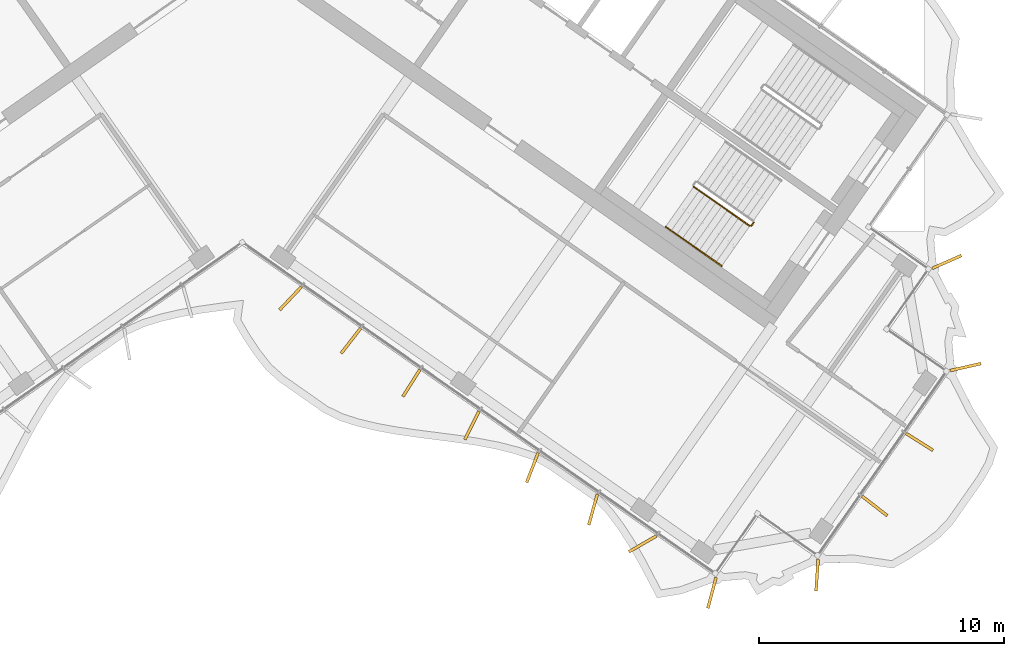
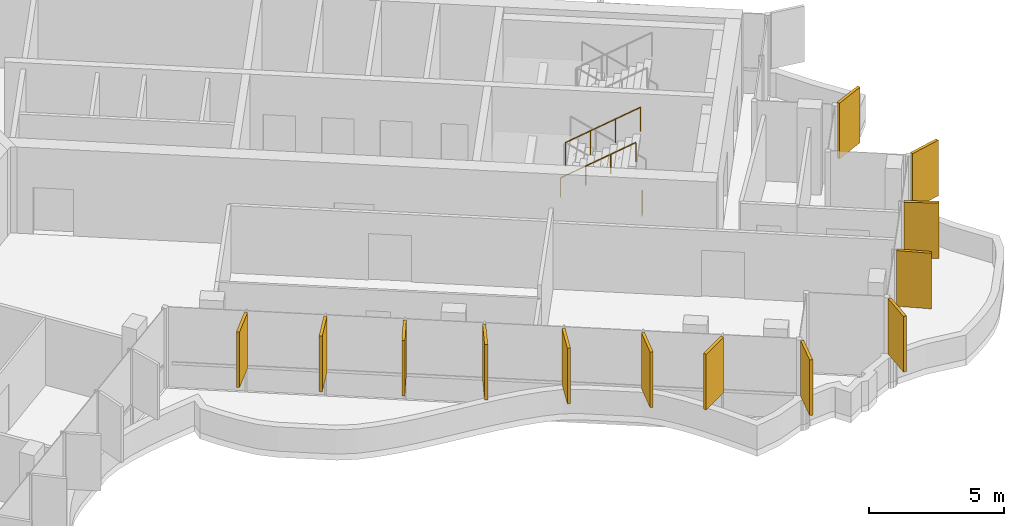
# One storey, part 16 of 18: 13 shading devices, 3 railings.
"""IFC4 building model written with IfcOpenShell, lengths in metres."""

import ifcopenshell
import ifcopenshell.guid

model = None  # the IFC model being written
_history = None  # IfcOwnerHistory: only IFC2X3 demands one
_inside = {}  # id of a spatial element -> (the spatial element, [elements in it])
_under = {}  # id of a project, library or spatial element -> (it, [spatial elements below it])
_declared = {}  # id of a project -> (the project, [libraries it declares])
_typed = {}  # id of a type object -> (the type object, [elements of that type])
_made_of = {}  # id of a material, layer set ... -> (it, [elements and type objects made of it])


def new_model(schema):
    """Start an empty IFC model of exactly this schema.

    Asked for "IFC4X3", IfcOpenShell would pick the latest addendum, in which some entities
    have other attributes; the version numbers below select the first issue.
    IFC2X3 requires an IfcOwnerHistory on every rooted entity: one is made here for all.
    """
    global model, _history
    if schema == "IFC4X3":
        model = ifcopenshell.file(schema_version=(4, 3, 0, 0))
    else:
        model = ifcopenshell.file(schema=schema)
    _inside.clear()
    _under.clear()
    _declared.clear()
    _typed.clear()
    _made_of.clear()
    _history = None
    if model.schema == "IFC2X3":
        org = make("IfcOrganization", Name="unknown")
        user = make(
            "IfcPersonAndOrganization",
            ThePerson=make("IfcPerson", FamilyName="unknown"),
            TheOrganization=org,
        )
        app = make(
            "IfcApplication",
            ApplicationDeveloper=org,
            Version="unknown",
            ApplicationFullName="unknown",
            ApplicationIdentifier="unknown",
        )
        _history = make(
            "IfcOwnerHistory",
            OwningUser=user,
            OwningApplication=app,
            ChangeAction="ADDED",
            CreationDate=0,
        )
    return model


def make(cls, **values):
    """One entity of the class cls with the attributes given. An attribute that is None is left unset."""
    return model.create_entity(
        cls, **{name: value for name, value in values.items() if value is not None}
    )


def rooted(cls, **values):
    """An entity with a GlobalId (a new one), such as an element, a storey or a relation."""
    return make(cls, GlobalId=ifcopenshell.guid.new(), OwnerHistory=_history, **values)


def si_unit(unit_type, name, prefix=None):
    """IfcSIUnit, for example si_unit("LENGTHUNIT", "METRE", prefix="MILLI")."""
    return make("IfcSIUnit", UnitType=unit_type, Prefix=prefix, Name=name)


def assignment(units):
    """IfcUnitAssignment: the units of a project."""
    return None if units is None else make("IfcUnitAssignment", Units=units)


def point(xyz):
    """IfcCartesianPoint."""
    return None if xyz is None else make("IfcCartesianPoint", Coordinates=xyz)


def direction(xyz):
    """IfcDirection."""
    return None if xyz is None else make("IfcDirection", DirectionRatios=xyz)


def frame(location, z_axis=None, x_axis=None):
    """IfcAxis2Placement3D, a coordinate frame: its origin and axes. An axis left out is left unset."""
    return make(
        "IfcAxis2Placement3D",
        Location=point(location),
        Axis=direction(z_axis),
        RefDirection=direction(x_axis),
    )


def frame_2d(location, x_axis=None):
    """IfcAxis2Placement2D, a coordinate frame in the plane: its origin and x axis."""
    return make(
        "IfcAxis2Placement2D", Location=point(location), RefDirection=direction(x_axis)
    )


def origin():
    """The frame at (0, 0, 0) with its axes left unset."""
    return frame((0.0, 0.0, 0.0))


def origin_2d():
    """The frame at (0, 0) in the plane with its x axis left unset."""
    return frame_2d((0.0, 0.0))


def place(relative_to, where):
    """IfcLocalPlacement: puts the frame where relative to a parent placement (None: the world)."""
    return make(
        "IfcLocalPlacement", PlacementRelTo=relative_to, RelativePlacement=where
    )


def context(
    kind, dimensions, precision=None, world=None, true_north=None, identifier=None
):
    """IfcGeometricRepresentationContext, for example the 3D "Model" context."""
    return make(
        "IfcGeometricRepresentationContext",
        ContextIdentifier=identifier,
        ContextType=kind,
        CoordinateSpaceDimension=dimensions,
        Precision=precision,
        WorldCoordinateSystem=world,
        TrueNorth=true_north,
    )


def subcontext(parent, identifier, kind, view, scale=None):
    """IfcGeometricRepresentationSubContext, for example "Body" below "Model"."""
    return make(
        "IfcGeometricRepresentationSubContext",
        ContextIdentifier=identifier,
        ContextType=kind,
        ParentContext=parent,
        TargetScale=scale,
        TargetView=view,
    )


def project(units=None, contexts=None):
    """IfcProject with its units and contexts."""
    return rooted(
        "IfcProject",
        Name="project",
        RepresentationContexts=contexts,
        UnitsInContext=assignment(units),
    )


def spatial(cls, under=None, at=None, **own):
    """A site, building, storey or space (cls), placed at a placement, below another one or the project."""
    s = rooted(cls, ObjectPlacement=at, **own)
    if under is not None:
        _under.setdefault(under.id(), (under, []))[1].append(s)
    return s


def profile(cls, at=None, kind="AREA", **sizes):
    """A parametric profile (cls). Its sizes go by their IFC names, for example OverallWidth=200.0."""
    return make(cls, ProfileType=kind, Position=at, **sizes)


def rectangle(**sizes):
    """IfcRectangleProfileDef."""
    return profile("IfcRectangleProfileDef", **sizes)


def circle(**sizes):
    """IfcCircleProfileDef."""
    return profile("IfcCircleProfileDef", **sizes)


def extrude(swept, where, along, depth):
    """IfcExtrudedAreaSolid: the profile swept, set in the frame where, extruded along a direction by depth."""
    return make(
        "IfcExtrudedAreaSolid",
        SweptArea=swept,
        Position=where,
        ExtrudedDirection=direction(along),
        Depth=depth,
    )


def shape(context_of_items, identifier, shape_type, items):
    """IfcShapeRepresentation: the items that make up one representation, for example the "Body"."""
    return make(
        "IfcShapeRepresentation",
        ContextOfItems=context_of_items,
        RepresentationIdentifier=identifier,
        RepresentationType=shape_type,
        Items=items,
    )


def material(Name=None, Category=None):
    """IfcMaterial."""
    return make("IfcMaterial", Name=Name, Category=Category)


def layer(
    of_material, thickness, ventilated=None, Name=None, Category=None, Priority=None
):
    """IfcMaterialLayer: one layer of a wall or slab, of a material (None: an air gap)."""
    return make(
        "IfcMaterialLayer",
        Material=of_material,
        LayerThickness=thickness,
        IsVentilated=ventilated,
        Name=Name,
        Category=Category,
        Priority=Priority,
    )


def layer_set(layers, Name=None):
    """IfcMaterialLayerSet."""
    return make("IfcMaterialLayerSet", MaterialLayers=layers, LayerSetName=Name)


def made_of(thing, what):
    """Note that an element or type object is made of a material, layer set ...; save() writes the relation."""
    if what is not None:
        _made_of.setdefault(what.id(), (what, []))[1].append(thing)
    return thing


def type_object(cls, material=None, **own):
    """A type object (cls), such as IfcWallType, which elements share."""
    return made_of(rooted(cls, **own), material)


def element(
    cls,
    number,
    at=None,
    inside=None,
    cuts=None,
    type_object=None,
    material=None,
    context=None,
    identifier="Body",
    shape_type=None,
    held_by="IfcProductDefinitionShape",
    body=None,
    shapes=None,
    **own,
):
    """One element of the class cls, such as IfcWall. Its Tag is "e" and its number.

    at: its placement. inside: the storey or other place that contains it. cuts: it is an
    opening in that element (IfcRelVoidsElement). A single representation is given by context,
    identifier, shape_type and body (its items); several are given by shapes. held_by: the class
    of the entity that holds the representations. save() writes the other relations.
    """
    e = rooted(cls, Tag="e%d" % number, ObjectPlacement=at, **own)
    if body is not None:
        shapes = [shape(context, identifier, shape_type, body)]
    if shapes is not None:
        e.Representation = make(held_by, Representations=shapes)
    if inside is not None:
        _inside.setdefault(inside.id(), (inside, []))[1].append(e)
    if cuts is not None:
        rooted(
            "IfcRelVoidsElement", RelatingBuildingElement=cuts, RelatedOpeningElement=e
        )
    if type_object is not None:
        _typed.setdefault(type_object.id(), (type_object, []))[1].append(e)
    return made_of(e, material)


def aggregate(whole, parts):
    """IfcRelAggregates: a whole, such as a stair, and the parts it consists of."""
    return rooted("IfcRelAggregates", RelatingObject=whole, RelatedObjects=parts)


def save(model, path):
    """Write the relations noted so far, then the file.

    IfcRelAggregates (storeys below a building ...), IfcRelContainedInSpatialStructure (elements
    in a storey), IfcRelDefinesByType, IfcRelAssociatesMaterial and IfcRelDeclares: one each for
    every whole, place, type object, material and project.
    """
    for whole, parts in _under.values():
        aggregate(whole, parts)
    for where, things in _inside.values():
        rooted(
            "IfcRelContainedInSpatialStructure",
            RelatedElements=things,
            RelatingStructure=where,
        )
    for kind, things in _typed.values():
        rooted("IfcRelDefinesByType", RelatedObjects=things, RelatingType=kind)
    for what, things in _made_of.values():
        rooted("IfcRelAssociatesMaterial", RelatedObjects=things, RelatingMaterial=what)
    for by, libraries in _declared.values():
        rooted("IfcRelDeclares", RelatingContext=by, RelatedDefinitions=libraries)
    model.write(path)


model = new_model("IFC4")

# Units and contexts
model_context = context("Model", 3, precision=1e-05, world=origin(), true_north=direction((0.0, 1.0)))
body_context = subcontext(model_context, "Body", "Model", "MODEL_VIEW")
ifc_project = project(units=[si_unit("LENGTHUNIT", "METRE"), si_unit("AREAUNIT", "SQUARE_METRE"), si_unit("VOLUMEUNIT", "CUBIC_METRE"), si_unit("PLANEANGLEUNIT", "RADIAN"), si_unit("MASSUNIT", "GRAM", prefix="KILO")], contexts=[model_context])

# Site, building, storey
site_placement = place(None, origin())
site = spatial("IfcSite", under=ifc_project, at=site_placement, CompositionType="ELEMENT")
building_placement = place(site_placement, origin())
building = spatial("IfcBuilding", under=site, at=building_placement, Name="Tel Ilan Convention Tower", CompositionType="ELEMENT")
storey_placement = place(building_placement, frame((0.0, 0.0, 299.5)))
storey = spatial("IfcBuildingStorey", under=building, at=storey_placement, Name="L71", CompositionType="ELEMENT", Elevation=299.5)

# Shading devices
ifc_material_1 = material(Name="Aluminium, bronze anodised", Category="aluminium")
ifc_layer = layer(ifc_material_1, 0.1201171875)
ifc_layer_set = layer_set([ifc_layer], Name="FIN BRONZE 1300x120")
shading_device_type = type_object("IfcShadingDeviceType", Name="FIN BRONZE 1300x120", PredefinedType="USERDEFINED", material=ifc_layer_set)
for number, where, z_axis, x_axis, name in (
    (1, (1.970703125, -14.9931640625, 1.10009765625), (0.0, 0.0, 1.0), (-0.686241637865, -0.727373641577, 0.0), "FIN"),
    (2, (4.443115234375, -16.724853515625, 1.10009765625), (0.0, 0.0, 1.0), (-0.612600545196, -0.790392669516, 0.0), "FIN"),
    (3, (6.916259765625, -18.45654296875, 1.10009765625), (0.0, 0.0, 1.0), (-0.533204432798, -0.845986425922, 0.0), "FIN"),
    (4, (9.38916015625, -20.187744140625, 1.10009765625), (0.0, 0.0, 1.0), (-0.448799180206, -0.893632640321, 0.0), "FIN"),
    (5, (11.864990234375, -21.913330078125, 1.10009765625), (0.0, 0.0, 1.0), (-0.360177724803, -0.932883704733, 0.0), "FIN"),
    (6, (14.3427734375, -23.633056640625, 1.10009765625), (0.0, 0.0, 1.0), (-0.268172612768, -0.963370878614, 0.0), "FIN"),
    (7, (16.37255859375, -25.03173828125, 1.10009765625), (0.0, 0.0, 1.0), (-0.866025403784, -0.5, 0.0), "FIN"),
    (8, (19.207275390625, -27.0341796875, 1.10009765625), (0.0, 0.0, 1.0), (-0.258819045103, -0.965925826289, 0.0), "FIN"),
    (9, (23.507568359375, -26.307373046875, 1.10009765625), (0.0, 0.0, 1.0), (-0.067821812994, -0.997697449973, 0.0), "FIN"),
    (10, (25.8623046875, -23.47802734375, 1.10009765625), (0.0, 0.0, 1.0), (0.790392669516, -0.612600545196, 0.0), "FIN"),
    (11, (27.695556640625, -20.85986328125, 1.10009765625), (0.0, 0.0, 1.0), (0.845986425922, -0.533204432798, 0.0), "FIN"),
    (12, (29.5771484375, -17.801025390625, 1.10009765625), (0.0, 0.0, 1.0), (0.975235208752, 0.221170268371, 0.0), "FIN"),
    (13, (28.812255859375, -13.50146484375, 1.10009765625), (0.0, 0.0, 1.0), (0.914332505315, 0.404964282034, 0.0), "FIN"),
):
    element("IfcShadingDevice", number, at=place(storey_placement, frame(where, z_axis=z_axis, x_axis=x_axis)), inside=storey, type_object=shading_device_type, Name=name, ObjectType="FIN", PredefinedType="USERDEFINED", context=body_context, shape_type="SweptSolid", body=[
        extrude(rectangle(XDim=1.300048828125, YDim=0.1201171875, at=origin_2d()), origin(), (0.0, 0.0, 1.0), 2.52001953125),
    ])

# Railings
ifc_material_2 = material(Name="Stainless Steel Grade 316", Category="steel")
railing_type_1 = type_object("IfcRailingType", Name="Stainless Steel Stair Guard 1100 mm", PredefinedType="GUARDRAIL", material=ifc_material_2)
railing_1_placement = place(storey_placement, frame((18.4599609375, -10.423095703125, 2.127197265625)))
element("IfcRailing", 14, at=railing_1_placement, inside=storey, type_object=railing_type_1, Name="L71 S4 stair guard 3", PredefinedType="GUARDRAIL", context=body_context, shape_type="SweptSolid", body=[
    extrude(circle(Radius=0.02392578125, at=origin_2d()), frame((0.0, 0.0, 1.076171875), z_axis=(0.692098378994, -0.484653031975, 0.534893701956), x_axis=(0.573608623498, 0.819129505664, 0.0)), (0.0, 0.0, 1.0), 3.314208984375),
    extrude(circle(Radius=0.02099609375, at=origin_2d()), origin(), (0.0, 0.0, 1.0), 1.052001953125),
    extrude(circle(Radius=0.02099609375, at=origin_2d()), frame((0.7646484375, -0.535400390625, 0.5908203125)), (0.0, 0.0, 1.0), 1.052001953125),
    extrude(circle(Radius=0.02099609375, at=origin_2d()), frame((1.529052734375, -1.07080078125, 1.181884765625)), (0.0, 0.0, 1.0), 1.052001953125),
    extrude(circle(Radius=0.02099609375, at=origin_2d()), frame((2.293701171875, -1.606201171875, 1.772705078125)), (0.0, 0.0, 1.0), 1.052001953125),
])
railing_2_placement = place(storey_placement, frame((20.9091796875, -11.89404296875, 0.0)))
element("IfcRailing", 15, at=railing_2_placement, inside=storey, type_object=railing_type_1, Name="L71 S4 stair guard 4", PredefinedType="GUARDRAIL", context=body_context, shape_type="SweptSolid", body=[
    extrude(circle(Radius=0.02392578125, at=origin_2d()), frame((0.0, 0.0, 1.076171875), z_axis=(-0.573353020881, -0.819308436089, 0.0), x_axis=(0.819308436089, -0.573353020881, 0.0)), (0.0, 0.0, 1.0), 0.14990234375),
    extrude(circle(Radius=0.02099609375, at=origin_2d()), origin(), (0.0, 0.0, 1.0), 1.052001953125),
    extrude(circle(Radius=0.02099609375, at=origin_2d()), frame((-0.0859375, -0.122802734375, 0.0)), (0.0, 0.0, 1.0), 1.052001953125),
])
ifc_material_3 = material(Name="Stainless Steel Grade 316", Category="steel")
railing_type_2 = type_object("IfcRailingType", Name="Stainless Steel Stair Handrail 900 mm", PredefinedType="HANDRAIL", material=ifc_material_3)
railing_3_placement = place(storey_placement, frame((17.312744140625, -12.0615234375, 2.127197265625)))
element("IfcRailing", 16, at=railing_3_placement, inside=storey, type_object=railing_type_2, Name="L71 S4 stair handrail 2", PredefinedType="HANDRAIL", context=body_context, shape_type="SweptSolid", body=[
    extrude(circle(Radius=0.02392578125, at=origin_2d()), frame((0.0, 0.0, 0.8759765625), z_axis=(0.692123088272, -0.484596665743, 0.534912798717), x_axis=(0.573550118428, 0.819170471667, 0.0)), (0.0, 0.0, 1.0), 3.31396484375),
    extrude(circle(Radius=0.02099609375, at=origin_2d()), origin(), (0.0, 0.0, 1.0), 0.851806640625),
    extrude(circle(Radius=0.02099609375, at=origin_2d()), frame((0.7646484375, -0.535400390625, 0.5908203125)), (0.0, 0.0, 1.0), 0.851806640625),
    extrude(circle(Radius=0.02099609375, at=origin_2d()), frame((1.529052734375, -1.070556640625, 1.181884765625)), (0.0, 0.0, 1.0), 0.851806640625),
    extrude(circle(Radius=0.02099609375, at=origin_2d()), frame((2.293701171875, -1.60595703125, 1.772705078125)), (0.0, 0.0, 1.0), 0.851806640625),
])

save(model, "model.ifc")
